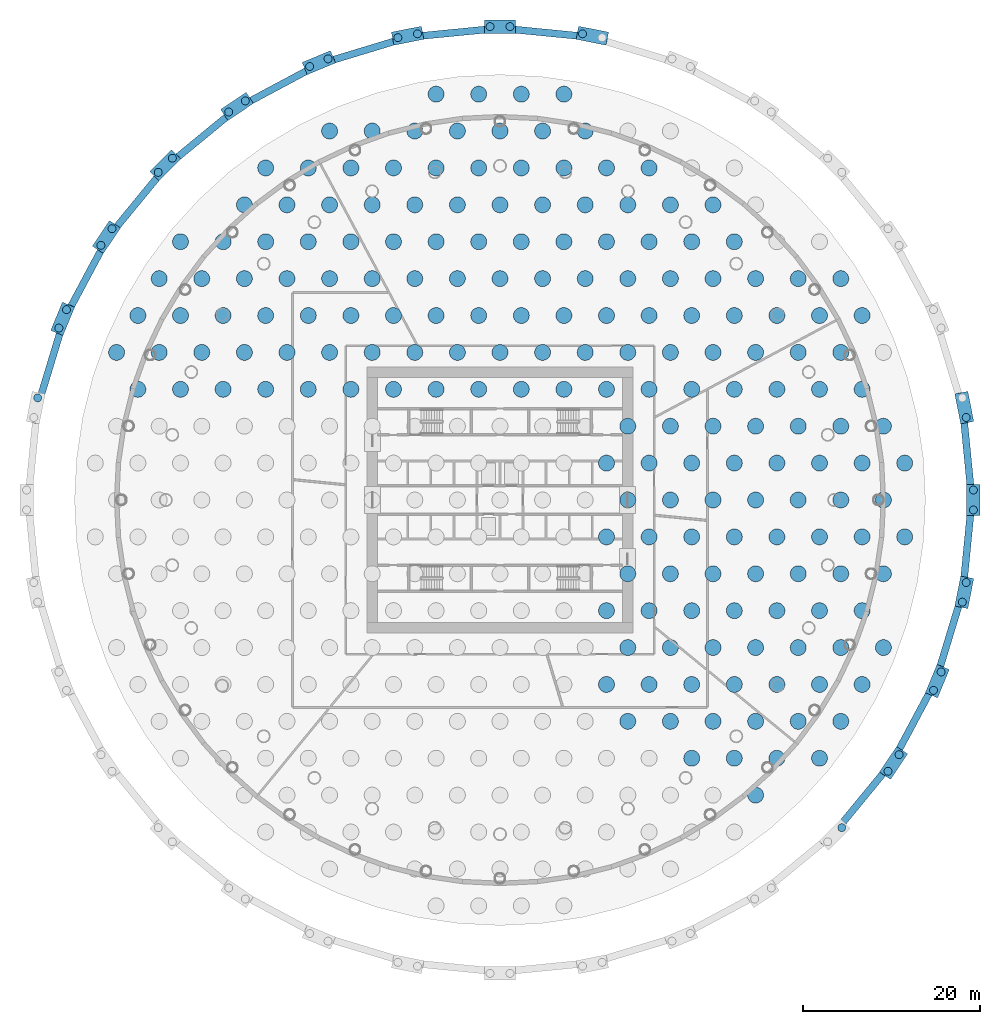
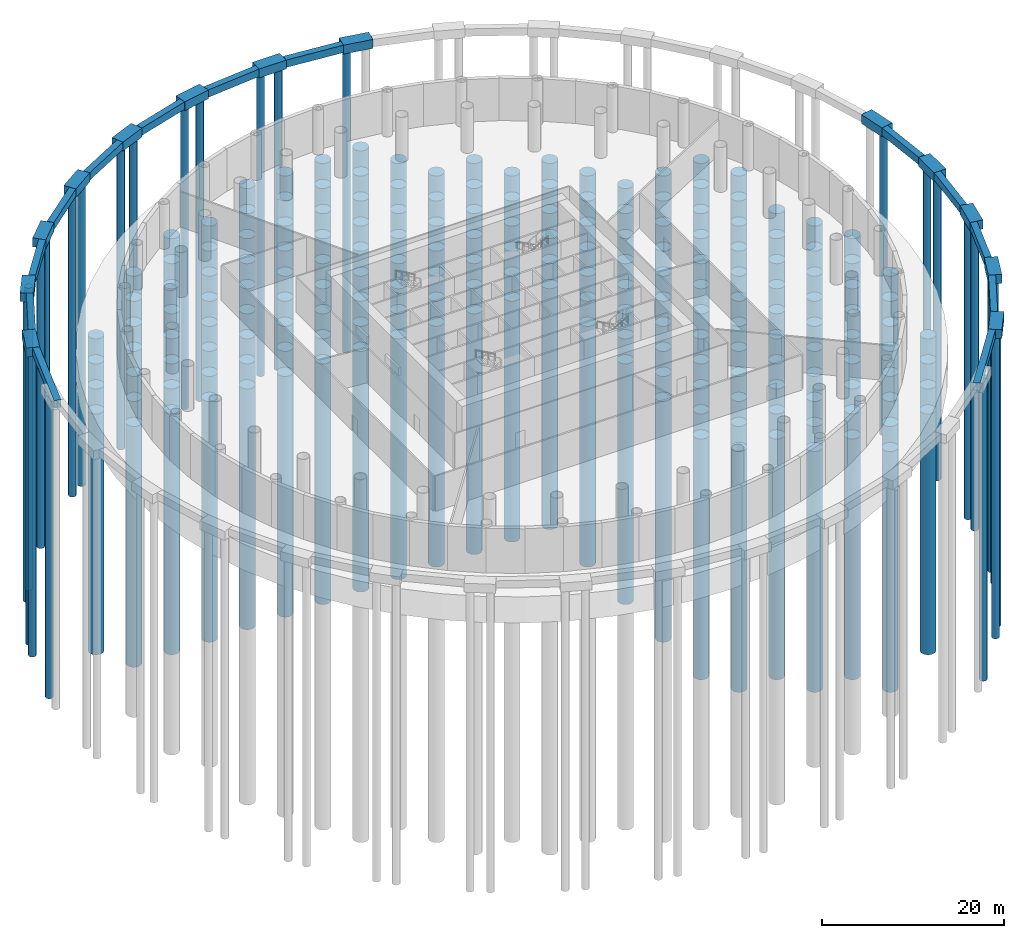
# One storey, part 2 of 12: 213 piles, 26 footings.
"""IFC4 building model written with IfcOpenShell, lengths in metres."""

from ifc_helpers import new_model, si_unit, direction, frame, origin, origin_2d, place, context, subcontext, project, spatial, rectangle, circle, extrude, material, layer, layer_set, material_profile, profile_set, type_object, element, save


model = new_model("IFC4")

# Units and contexts
model_context = context("Model", 3, precision=1e-05, world=origin(), true_north=direction((0.0, 1.0)))
body_context = subcontext(model_context, "Body", "Model", "MODEL_VIEW")
ifc_project = project(units=[si_unit("LENGTHUNIT", "METRE"), si_unit("AREAUNIT", "SQUARE_METRE"), si_unit("VOLUMEUNIT", "CUBIC_METRE"), si_unit("PLANEANGLEUNIT", "RADIAN"), si_unit("MASSUNIT", "GRAM", prefix="KILO")], contexts=[model_context])

# Site, building, storey
site_placement = place(None, origin())
site = spatial("IfcSite", under=ifc_project, at=site_placement, CompositionType="ELEMENT")
building_placement = place(site_placement, origin())
building = spatial("IfcBuilding", under=site, at=building_placement, Name="Corvane Civic Tower", CompositionType="ELEMENT")
storey_placement = place(building_placement, frame((0.0, 0.0, -6.0)))
storey = spatial("IfcBuildingStorey", under=building, at=storey_placement, Name="B1", CompositionType="ELEMENT", Elevation=-6.0)

# Piles
ifc_material_1 = material(Name="Concrete C40/50", Category="concrete")
ifc_material_profile_1 = material_profile(ifc_material_1, circle(Radius=0.89990234375, at=origin_2d()), Name="BORED PILE 1800")
ifc_profile_set_1 = profile_set([ifc_material_profile_1], Name="Concrete C40/50")
pile_type_1 = type_object("IfcPileType", Name="BORED PILE BORED PILE 1800", PredefinedType="BORED", material=ifc_profile_set_1)
for number, where, z_axis, x_axis, name in (
    (1, (28.8359375, -33.296875, -3.64990234375), (0.0, 0.0, -1.0), (1.0, 0.0, 0.0), "PIL-B1-038"),
    (2, (21.626953125, -29.134765625, -3.64990234375), (0.0, 0.0, -1.0), (1.0, 0.0, 0.0), "PIL-B1-051"),
    (3, (26.43310546875, -29.134765625, -3.64990234375), (0.0, 0.0, -1.0), (1.0, 0.0, 0.0), "PIL-B1-052"),
    (4, (31.239013671875, -29.134765625, -3.64990234375), (0.0, 0.0, -1.0), (1.0, 0.0, 0.0), "PIL-B1-053"),
    (5, (36.044921875, -29.134765625, -3.64990234375), (0.0, 0.0, -1.0), (1.0, 0.0, 0.0), "PIL-B1-054"),
    (6, (14.41796875, -24.97265625, -3.64990234375), (0.0, 0.0, -1.0), (1.0, 0.0, 0.0), "PIL-B1-066"),
    (7, (19.22412109375, -24.97265625, -3.64990234375), (0.0, 0.0, -1.0), (1.0, 0.0, 0.0), "PIL-B1-067"),
    (8, (24.030029296875, -24.97265625, -3.64990234375), (0.0, 0.0, -1.0), (1.0, 0.0, 0.0), "PIL-B1-068"),
    (9, (28.8359375, -24.97265625, -3.64990234375), (0.0, 0.0, -1.0), (1.0, 0.0, 0.0), "PIL-B1-069"),
    (10, (33.64208984375, -24.97265625, -3.64990234375), (0.0, 0.0, -1.0), (1.0, 0.0, 0.0), "PIL-B1-070"),
    (11, (38.447998046875, -24.97265625, -3.64990234375), (0.0, 0.0, -1.0), (1.0, 0.0, 0.0), "PIL-B1-071"),
    (12, (12.014892578125, -20.810546875, -3.64990234375), (0.0, 0.0, -1.0), (1.0, 0.0, 0.0), "PIL-B1-083"),
    (13, (16.821044921875, -20.810546875, -3.64990234375), (0.0, 0.0, -1.0), (1.0, 0.0, 0.0), "PIL-B1-084"),
    (14, (21.626953125, -20.810546875, -3.64990234375), (0.0, 0.0, -1.0), (1.0, 0.0, 0.0), "PIL-B1-085"),
    (15, (26.43310546875, -20.810546875, -3.64990234375), (0.0, 0.0, -1.0), (1.0, 0.0, 0.0), "PIL-B1-086"),
    (16, (31.239013671875, -20.810546875, -3.64990234375), (0.0, 0.0, -1.0), (1.0, 0.0, 0.0), "PIL-B1-087"),
    (17, (36.044921875, -20.810546875, -3.64990234375), (0.0, 0.0, -1.0), (1.0, 0.0, 0.0), "PIL-B1-088"),
    (18, (40.85107421875, -20.810546875, -3.64990234375), (0.0, 0.0, -1.0), (1.0, 0.0, 0.0), "PIL-B1-089"),
    (19, (14.41796875, -16.6484375, -3.64990234375), (0.0, 0.0, -1.0), (1.0, 0.0, 0.0), "PIL-B1-102"),
    (20, (19.22412109375, -16.6484375, -3.64990234375), (0.0, 0.0, -1.0), (1.0, 0.0, 0.0), "PIL-B1-103"),
    (21, (24.030029296875, -16.6484375, -3.64990234375), (0.0, 0.0, -1.0), (1.0, 0.0, 0.0), "PIL-B1-104"),
    (22, (28.8359375, -16.6484375, -3.64990234375), (0.0, 0.0, -1.0), (1.0, 0.0, 0.0), "PIL-B1-105"),
    (23, (33.64208984375, -16.6484375, -3.64990234375), (0.0, 0.0, -1.0), (1.0, 0.0, 0.0), "PIL-B1-106"),
    (24, (38.447998046875, -16.6484375, -3.64990234375), (0.0, 0.0, -1.0), (1.0, 0.0, 0.0), "PIL-B1-107"),
    (25, (43.25390625, -16.6484375, -3.64990234375), (0.0, 0.0, -1.0), (1.0, 0.0, 0.0), "PIL-B1-108"),
    (26, (12.014892578125, -12.486328125, -3.64990234375), (0.0, 0.0, -1.0), (1.0, 0.0, 0.0), "PIL-B1-120"),
    (27, (16.821044921875, -12.486328125, -3.64990234375), (0.0, 0.0, -1.0), (1.0, 0.0, 0.0), "PIL-B1-121"),
    (28, (21.626953125, -12.486328125, -3.64990234375), (0.0, 0.0, -1.0), (1.0, 0.0, 0.0), "PIL-B1-122"),
    (29, (26.43310546875, -12.486328125, -3.64990234375), (0.0, 0.0, -1.0), (1.0, 0.0, 0.0), "PIL-B1-123"),
    (30, (31.239013671875, -12.486328125, -3.64990234375), (0.0, 0.0, -1.0), (1.0, 0.0, 0.0), "PIL-B1-124"),
    (31, (36.044921875, -12.486328125, -3.64990234375), (0.0, 0.0, -1.0), (1.0, 0.0, 0.0), "PIL-B1-125"),
    (32, (40.85107421875, -12.486328125, -3.64990234375), (0.0, 0.0, -1.0), (1.0, 0.0, 0.0), "PIL-B1-126"),
    (33, (14.41796875, -8.32421875, -3.64990234375), (0.0, 0.0, -1.0), (1.0, 0.0, 0.0), "PIL-B1-139"),
    (34, (19.22412109375, -8.32421875, -3.64990234375), (0.0, 0.0, -1.0), (1.0, 0.0, 0.0), "PIL-B1-140"),
    (35, (24.030029296875, -8.32421875, -3.64990234375), (0.0, 0.0, -1.0), (1.0, 0.0, 0.0), "PIL-B1-141"),
    (36, (28.8359375, -8.32421875, -3.64990234375), (0.0, 0.0, -1.0), (1.0, 0.0, 0.0), "PIL-B1-142"),
    (37, (33.64208984375, -8.32421875, -3.64990234375), (0.0, 0.0, -1.0), (1.0, 0.0, 0.0), "PIL-B1-143"),
    (38, (38.447998046875, -8.32421875, -3.64990234375), (0.0, 0.0, -1.0), (1.0, 0.0, 0.0), "PIL-B1-144"),
    (39, (43.25390625, -8.32421875, -3.64990234375), (0.0, 0.0, -1.0), (1.0, 0.0, 0.0), "PIL-B1-145"),
    (40, (12.014892578125, -4.162109375, -3.64990234375), (0.0, 0.0, -1.0), (1.0, 0.0, 0.0), "PIL-B1-158"),
    (41, (16.821044921875, -4.162109375, -3.64990234375), (0.0, 0.0, -1.0), (1.0, 0.0, 0.0), "PIL-B1-159"),
    (42, (21.626953125, -4.162109375, -3.64990234375), (0.0, 0.0, -1.0), (1.0, 0.0, 0.0), "PIL-B1-160"),
    (43, (26.43310546875, -4.162109375, -3.64990234375), (0.0, 0.0, -1.0), (1.0, 0.0, 0.0), "PIL-B1-161"),
    (44, (31.239013671875, -4.162109375, -3.64990234375), (0.0, 0.0, -1.0), (1.0, 0.0, 0.0), "PIL-B1-162"),
    (45, (36.044921875, -4.162109375, -3.64990234375), (0.0, 0.0, -1.0), (1.0, 0.0, 0.0), "PIL-B1-163"),
    (46, (40.85107421875, -4.162109375, -3.64990234375), (0.0, 0.0, -1.0), (1.0, 0.0, 0.0), "PIL-B1-164"),
    (47, (45.656982421875, -4.162109375, -3.64990234375), (0.0, 0.0, -1.0), (1.0, 0.0, 0.0), "PIL-B1-165"),
    (48, (14.41796875, 0.0, -3.64990234375), (0.0, 0.0, -1.0), (1.0, 0.0, 0.0), "PIL-B1-178"),
    (49, (19.22412109375, 0.0, -3.64990234375), (0.0, 0.0, -1.0), (1.0, 0.0, 0.0), "PIL-B1-179"),
    (50, (24.030029296875, 0.0, -3.64990234375), (0.0, 0.0, -1.0), (1.0, 0.0, 0.0), "PIL-B1-180"),
    (51, (28.8359375, 0.0, -3.64990234375), (0.0, 0.0, -1.0), (1.0, 0.0, 0.0), "PIL-B1-181"),
    (52, (33.64208984375, 0.0, -3.64990234375), (0.0, 0.0, -1.0), (1.0, 0.0, 0.0), "PIL-B1-182"),
    (53, (38.447998046875, 0.0, -3.64990234375), (0.0, 0.0, -1.0), (1.0, 0.0, 0.0), "PIL-B1-183"),
    (54, (43.25390625, 0.0, -3.64990234375), (0.0, 0.0, -1.0), (1.0, 0.0, 0.0), "PIL-B1-184"),
    (55, (12.014892578125, 4.162109375, -3.64990234375), (0.0, 0.0, -1.0), (1.0, 0.0, 0.0), "PIL-B1-197"),
    (56, (16.821044921875, 4.162109375, -3.64990234375), (0.0, 0.0, -1.0), (1.0, 0.0, 0.0), "PIL-B1-198"),
    (57, (21.626953125, 4.162109375, -3.64990234375), (0.0, 0.0, -1.0), (1.0, 0.0, 0.0), "PIL-B1-199"),
    (58, (26.43310546875, 4.162109375, -3.64990234375), (0.0, 0.0, -1.0), (1.0, 0.0, 0.0), "PIL-B1-200"),
    (59, (31.239013671875, 4.162109375, -3.64990234375), (0.0, 0.0, -1.0), (1.0, 0.0, 0.0), "PIL-B1-201"),
    (60, (36.044921875, 4.162109375, -3.64990234375), (0.0, 0.0, -1.0), (1.0, 0.0, 0.0), "PIL-B1-202"),
    (61, (40.85107421875, 4.162109375, -3.64990234375), (0.0, 0.0, -1.0), (1.0, 0.0, 0.0), "PIL-B1-203"),
    (62, (45.656982421875, 4.162109375, -3.64990234375), (0.0, 0.0, -1.0), (1.0, 0.0, 0.0), "PIL-B1-204"),
    (63, (14.41796875, 8.32421875, -3.64990234375), (0.0, 0.0, -1.0), (1.0, 0.0, 0.0), "PIL-B1-217"),
    (64, (19.22412109375, 8.32421875, -3.64990234375), (0.0, 0.0, -1.0), (1.0, 0.0, 0.0), "PIL-B1-218"),
    (65, (24.030029296875, 8.32421875, -3.64990234375), (0.0, 0.0, -1.0), (1.0, 0.0, 0.0), "PIL-B1-219"),
    (66, (28.8359375, 8.32421875, -3.64990234375), (0.0, 0.0, -1.0), (1.0, 0.0, 0.0), "PIL-B1-220"),
    (67, (33.64208984375, 8.32421875, -3.64990234375), (0.0, 0.0, -1.0), (1.0, 0.0, 0.0), "PIL-B1-221"),
    (68, (38.447998046875, 8.32421875, -3.64990234375), (0.0, 0.0, -1.0), (1.0, 0.0, 0.0), "PIL-B1-222"),
    (69, (43.25390625, 8.32421875, -3.64990234375), (0.0, 0.0, -1.0), (1.0, 0.0, 0.0), "PIL-B1-223"),
    (70, (-40.85107421875, 12.486328125, -3.64990234375), (0.0, 0.0, -1.0), (1.0, 0.0, 0.0), "PIL-B1-224"),
    (71, (-36.044921875, 12.486328125, -3.64990234375), (0.0, 0.0, -1.0), (1.0, 0.0, 0.0), "PIL-B1-225"),
    (72, (-31.239013671875, 12.486328125, -3.64990234375), (0.0, 0.0, -1.0), (1.0, 0.0, 0.0), "PIL-B1-226"),
    (73, (-26.43310546875, 12.486328125, -3.64990234375), (0.0, 0.0, -1.0), (1.0, 0.0, 0.0), "PIL-B1-227"),
    (74, (-21.626953125, 12.486328125, -3.64990234375), (0.0, 0.0, -1.0), (1.0, 0.0, 0.0), "PIL-B1-228"),
    (75, (-16.821044921875, 12.486328125, -3.64990234375), (0.0, 0.0, -1.0), (1.0, 0.0, 0.0), "PIL-B1-229"),
    (76, (-12.014892578125, 12.486328125, -3.64990234375), (0.0, 0.0, -1.0), (1.0, 0.0, 0.0), "PIL-B1-230"),
    (77, (-7.208984375, 12.486328125, -3.64990234375), (0.0, 0.0, -1.0), (1.0, 0.0, 0.0), "PIL-B1-231"),
    (78, (-2.403076171875, 12.486328125, -3.64990234375), (0.0, 0.0, -1.0), (1.0, 0.0, 0.0), "PIL-B1-232"),
    (79, (2.403076171875, 12.486328125, -3.64990234375), (0.0, 0.0, -1.0), (1.0, 0.0, 0.0), "PIL-B1-233"),
    (80, (7.208984375, 12.486328125, -3.64990234375), (0.0, 0.0, -1.0), (1.0, 0.0, 0.0), "PIL-B1-234"),
    (81, (12.014892578125, 12.486328125, -3.64990234375), (0.0, 0.0, -1.0), (1.0, 0.0, 0.0), "PIL-B1-235"),
    (82, (16.821044921875, 12.486328125, -3.64990234375), (0.0, 0.0, -1.0), (1.0, 0.0, 0.0), "PIL-B1-236"),
    (83, (21.626953125, 12.486328125, -3.64990234375), (0.0, 0.0, -1.0), (1.0, 0.0, 0.0), "PIL-B1-237"),
    (84, (26.43310546875, 12.486328125, -3.64990234375), (0.0, 0.0, -1.0), (1.0, 0.0, 0.0), "PIL-B1-238"),
    (85, (31.239013671875, 12.486328125, -3.64990234375), (0.0, 0.0, -1.0), (1.0, 0.0, 0.0), "PIL-B1-239"),
    (86, (36.044921875, 12.486328125, -3.64990234375), (0.0, 0.0, -1.0), (1.0, 0.0, 0.0), "PIL-B1-240"),
    (87, (40.85107421875, 12.486328125, -3.64990234375), (0.0, 0.0, -1.0), (1.0, 0.0, 0.0), "PIL-B1-241"),
    (88, (-43.25390625, 16.6484375, -3.64990234375), (0.0, 0.0, -1.0), (1.0, 0.0, 0.0), "PIL-B1-242"),
    (89, (-38.447998046875, 16.6484375, -3.64990234375), (0.0, 0.0, -1.0), (1.0, 0.0, 0.0), "PIL-B1-243"),
    (90, (-33.64208984375, 16.6484375, -3.64990234375), (0.0, 0.0, -1.0), (1.0, 0.0, 0.0), "PIL-B1-244"),
    (91, (-28.8359375, 16.6484375, -3.64990234375), (0.0, 0.0, -1.0), (1.0, 0.0, 0.0), "PIL-B1-245"),
    (92, (-24.030029296875, 16.6484375, -3.64990234375), (0.0, 0.0, -1.0), (1.0, 0.0, 0.0), "PIL-B1-246"),
    (93, (-19.22412109375, 16.6484375, -3.64990234375), (0.0, 0.0, -1.0), (1.0, 0.0, 0.0), "PIL-B1-247"),
    (94, (-14.41796875, 16.6484375, -3.64990234375), (0.0, 0.0, -1.0), (1.0, 0.0, 0.0), "PIL-B1-248"),
    (95, (-9.612060546875, 16.6484375, -3.64990234375), (0.0, 0.0, -1.0), (1.0, 0.0, 0.0), "PIL-B1-249"),
    (96, (-4.805908203125, 16.6484375, -3.64990234375), (0.0, 0.0, -1.0), (1.0, 0.0, 0.0), "PIL-B1-250"),
    (97, (0.0, 16.6484375, -3.64990234375), (0.0, 0.0, -1.0), (1.0, 0.0, 0.0), "PIL-B1-251"),
    (98, (4.805908203125, 16.6484375, -3.64990234375), (0.0, 0.0, -1.0), (1.0, 0.0, 0.0), "PIL-B1-252"),
    (99, (9.612060546875, 16.6484375, -3.64990234375), (0.0, 0.0, -1.0), (1.0, 0.0, 0.0), "PIL-B1-253"),
    (100, (14.41796875, 16.6484375, -3.64990234375), (0.0, 0.0, -1.0), (1.0, 0.0, 0.0), "PIL-B1-254"),
    (101, (19.22412109375, 16.6484375, -3.64990234375), (0.0, 0.0, -1.0), (1.0, 0.0, 0.0), "PIL-B1-255"),
    (102, (24.030029296875, 16.6484375, -3.64990234375), (0.0, 0.0, -1.0), (1.0, 0.0, 0.0), "PIL-B1-256"),
    (103, (28.8359375, 16.6484375, -3.64990234375), (0.0, 0.0, -1.0), (1.0, 0.0, 0.0), "PIL-B1-257"),
    (104, (33.64208984375, 16.6484375, -3.64990234375), (0.0, 0.0, -1.0), (1.0, 0.0, 0.0), "PIL-B1-258"),
    (105, (38.447998046875, 16.6484375, -3.64990234375), (0.0, 0.0, -1.0), (1.0, 0.0, 0.0), "PIL-B1-259"),
    (106, (-40.85107421875, 20.810546875, -3.64990234375), (0.0, 0.0, -1.0), (1.0, 0.0, 0.0), "PIL-B1-261"),
    (107, (-36.044921875, 20.810546875, -3.64990234375), (0.0, 0.0, -1.0), (1.0, 0.0, 0.0), "PIL-B1-262"),
    (108, (-31.239013671875, 20.810546875, -3.64990234375), (0.0, 0.0, -1.0), (1.0, 0.0, 0.0), "PIL-B1-263"),
    (109, (-26.43310546875, 20.810546875, -3.64990234375), (0.0, 0.0, -1.0), (1.0, 0.0, 0.0), "PIL-B1-264"),
    (110, (-21.626953125, 20.810546875, -3.64990234375), (0.0, 0.0, -1.0), (1.0, 0.0, 0.0), "PIL-B1-265"),
    (111, (-16.821044921875, 20.810546875, -3.64990234375), (0.0, 0.0, -1.0), (1.0, 0.0, 0.0), "PIL-B1-266"),
    (112, (-12.014892578125, 20.810546875, -3.64990234375), (0.0, 0.0, -1.0), (1.0, 0.0, 0.0), "PIL-B1-267"),
    (113, (-7.208984375, 20.810546875, -3.64990234375), (0.0, 0.0, -1.0), (1.0, 0.0, 0.0), "PIL-B1-268"),
    (114, (-2.403076171875, 20.810546875, -3.64990234375), (0.0, 0.0, -1.0), (1.0, 0.0, 0.0), "PIL-B1-269"),
    (115, (2.403076171875, 20.810546875, -3.64990234375), (0.0, 0.0, -1.0), (1.0, 0.0, 0.0), "PIL-B1-270"),
    (116, (7.208984375, 20.810546875, -3.64990234375), (0.0, 0.0, -1.0), (1.0, 0.0, 0.0), "PIL-B1-271"),
    (117, (12.014892578125, 20.810546875, -3.64990234375), (0.0, 0.0, -1.0), (1.0, 0.0, 0.0), "PIL-B1-272"),
    (118, (16.821044921875, 20.810546875, -3.64990234375), (0.0, 0.0, -1.0), (1.0, 0.0, 0.0), "PIL-B1-273"),
    (119, (21.626953125, 20.810546875, -3.64990234375), (0.0, 0.0, -1.0), (1.0, 0.0, 0.0), "PIL-B1-274"),
    (120, (26.43310546875, 20.810546875, -3.64990234375), (0.0, 0.0, -1.0), (1.0, 0.0, 0.0), "PIL-B1-275"),
    (121, (31.239013671875, 20.810546875, -3.64990234375), (0.0, 0.0, -1.0), (1.0, 0.0, 0.0), "PIL-B1-276"),
    (122, (36.044921875, 20.810546875, -3.64990234375), (0.0, 0.0, -1.0), (1.0, 0.0, 0.0), "PIL-B1-277"),
    (123, (40.85107421875, 20.810546875, -3.64990234375), (0.0, 0.0, -1.0), (1.0, 0.0, 0.0), "PIL-B1-278"),
    (124, (-38.447998046875, 24.97265625, -3.64990234375), (0.0, 0.0, -1.0), (1.0, 0.0, 0.0), "PIL-B1-279"),
    (125, (-33.64208984375, 24.97265625, -3.64990234375), (0.0, 0.0, -1.0), (1.0, 0.0, 0.0), "PIL-B1-280"),
    (126, (-28.8359375, 24.97265625, -3.64990234375), (0.0, 0.0, -1.0), (1.0, 0.0, 0.0), "PIL-B1-281"),
    (127, (-24.030029296875, 24.97265625, -3.64990234375), (0.0, 0.0, -1.0), (1.0, 0.0, 0.0), "PIL-B1-282"),
    (128, (-19.22412109375, 24.97265625, -3.64990234375), (0.0, 0.0, -1.0), (1.0, 0.0, 0.0), "PIL-B1-283"),
    (129, (-14.41796875, 24.97265625, -3.64990234375), (0.0, 0.0, -1.0), (1.0, 0.0, 0.0), "PIL-B1-284"),
    (130, (-9.612060546875, 24.97265625, -3.64990234375), (0.0, 0.0, -1.0), (1.0, 0.0, 0.0), "PIL-B1-285"),
    (131, (-4.805908203125, 24.97265625, -3.64990234375), (0.0, 0.0, -1.0), (1.0, 0.0, 0.0), "PIL-B1-286"),
    (132, (0.0, 24.97265625, -3.64990234375), (0.0, 0.0, -1.0), (1.0, 0.0, 0.0), "PIL-B1-287"),
    (133, (4.805908203125, 24.97265625, -3.64990234375), (0.0, 0.0, -1.0), (1.0, 0.0, 0.0), "PIL-B1-288"),
    (134, (9.612060546875, 24.97265625, -3.64990234375), (0.0, 0.0, -1.0), (1.0, 0.0, 0.0), "PIL-B1-289"),
    (135, (14.41796875, 24.97265625, -3.64990234375), (0.0, 0.0, -1.0), (1.0, 0.0, 0.0), "PIL-B1-290"),
    (136, (19.22412109375, 24.97265625, -3.64990234375), (0.0, 0.0, -1.0), (1.0, 0.0, 0.0), "PIL-B1-291"),
    (137, (24.030029296875, 24.97265625, -3.64990234375), (0.0, 0.0, -1.0), (1.0, 0.0, 0.0), "PIL-B1-292"),
    (138, (28.8359375, 24.97265625, -3.64990234375), (0.0, 0.0, -1.0), (1.0, 0.0, 0.0), "PIL-B1-293"),
    (139, (33.64208984375, 24.97265625, -3.64990234375), (0.0, 0.0, -1.0), (1.0, 0.0, 0.0), "PIL-B1-294"),
    (140, (38.447998046875, 24.97265625, -3.64990234375), (0.0, 0.0, -1.0), (1.0, 0.0, 0.0), "PIL-B1-295"),
    (141, (-36.044921875, 29.134765625, -3.64990234375), (0.0, 0.0, -1.0), (1.0, 0.0, 0.0), "PIL-B1-296"),
    (142, (-31.239013671875, 29.134765625, -3.64990234375), (0.0, 0.0, -1.0), (1.0, 0.0, 0.0), "PIL-B1-297"),
    (143, (-26.43310546875, 29.134765625, -3.64990234375), (0.0, 0.0, -1.0), (1.0, 0.0, 0.0), "PIL-B1-298"),
    (144, (-21.626953125, 29.134765625, -3.64990234375), (0.0, 0.0, -1.0), (1.0, 0.0, 0.0), "PIL-B1-299"),
    (145, (-16.821044921875, 29.134765625, -3.64990234375), (0.0, 0.0, -1.0), (1.0, 0.0, 0.0), "PIL-B1-300"),
    (146, (-12.014892578125, 29.134765625, -3.64990234375), (0.0, 0.0, -1.0), (1.0, 0.0, 0.0), "PIL-B1-301"),
    (147, (-7.208984375, 29.134765625, -3.64990234375), (0.0, 0.0, -1.0), (1.0, 0.0, 0.0), "PIL-B1-302"),
    (148, (-2.403076171875, 29.134765625, -3.64990234375), (0.0, 0.0, -1.0), (1.0, 0.0, 0.0), "PIL-B1-303"),
    (149, (2.403076171875, 29.134765625, -3.64990234375), (0.0, 0.0, -1.0), (1.0, 0.0, 0.0), "PIL-B1-304"),
    (150, (7.208984375, 29.134765625, -3.64990234375), (0.0, 0.0, -1.0), (1.0, 0.0, 0.0), "PIL-B1-305"),
    (151, (12.014892578125, 29.134765625, -3.64990234375), (0.0, 0.0, -1.0), (1.0, 0.0, 0.0), "PIL-B1-306"),
    (152, (16.821044921875, 29.134765625, -3.64990234375), (0.0, 0.0, -1.0), (1.0, 0.0, 0.0), "PIL-B1-307"),
    (153, (21.626953125, 29.134765625, -3.64990234375), (0.0, 0.0, -1.0), (1.0, 0.0, 0.0), "PIL-B1-308"),
    (154, (26.43310546875, 29.134765625, -3.64990234375), (0.0, 0.0, -1.0), (1.0, 0.0, 0.0), "PIL-B1-309"),
    (155, (-28.8359375, 33.296875, -3.64990234375), (0.0, 0.0, -1.0), (1.0, 0.0, 0.0), "PIL-B1-312"),
    (156, (-24.030029296875, 33.296875, -3.64990234375), (0.0, 0.0, -1.0), (1.0, 0.0, 0.0), "PIL-B1-313"),
    (157, (-19.22412109375, 33.296875, -3.64990234375), (0.0, 0.0, -1.0), (1.0, 0.0, 0.0), "PIL-B1-314"),
    (158, (-14.41796875, 33.296875, -3.64990234375), (0.0, 0.0, -1.0), (1.0, 0.0, 0.0), "PIL-B1-315"),
    (159, (-9.612060546875, 33.296875, -3.64990234375), (0.0, 0.0, -1.0), (1.0, 0.0, 0.0), "PIL-B1-316"),
    (160, (-4.805908203125, 33.296875, -3.64990234375), (0.0, 0.0, -1.0), (1.0, 0.0, 0.0), "PIL-B1-317"),
    (161, (0.0, 33.296875, -3.64990234375), (0.0, 0.0, -1.0), (1.0, 0.0, 0.0), "PIL-B1-318"),
    (162, (4.805908203125, 33.296875, -3.64990234375), (0.0, 0.0, -1.0), (1.0, 0.0, 0.0), "PIL-B1-319"),
    (163, (9.612060546875, 33.296875, -3.64990234375), (0.0, 0.0, -1.0), (1.0, 0.0, 0.0), "PIL-B1-320"),
    (164, (14.41796875, 33.296875, -3.64990234375), (0.0, 0.0, -1.0), (1.0, 0.0, 0.0), "PIL-B1-321"),
    (165, (19.22412109375, 33.296875, -3.64990234375), (0.0, 0.0, -1.0), (1.0, 0.0, 0.0), "PIL-B1-322"),
    (166, (24.030029296875, 33.296875, -3.64990234375), (0.0, 0.0, -1.0), (1.0, 0.0, 0.0), "PIL-B1-323"),
    (167, (-26.43310546875, 37.458984375, -3.64990234375), (0.0, 0.0, -1.0), (1.0, 0.0, 0.0), "PIL-B1-325"),
    (168, (-21.626953125, 37.458984375, -3.64990234375), (0.0, 0.0, -1.0), (1.0, 0.0, 0.0), "PIL-B1-326"),
    (169, (-16.821044921875, 37.458984375, -3.64990234375), (0.0, 0.0, -1.0), (1.0, 0.0, 0.0), "PIL-B1-327"),
    (170, (-12.014892578125, 37.458984375, -3.64990234375), (0.0, 0.0, -1.0), (1.0, 0.0, 0.0), "PIL-B1-328"),
    (171, (-7.208984375, 37.458984375, -3.64990234375), (0.0, 0.0, -1.0), (1.0, 0.0, 0.0), "PIL-B1-329"),
    (172, (-2.403076171875, 37.458984375, -3.64990234375), (0.0, 0.0, -1.0), (1.0, 0.0, 0.0), "PIL-B1-330"),
    (173, (2.403076171875, 37.458984375, -3.64990234375), (0.0, 0.0, -1.0), (1.0, 0.0, 0.0), "PIL-B1-331"),
    (174, (7.208984375, 37.458984375, -3.64990234375), (0.0, 0.0, -1.0), (1.0, 0.0, 0.0), "PIL-B1-332"),
    (175, (12.014892578125, 37.458984375, -3.64990234375), (0.0, 0.0, -1.0), (1.0, 0.0, 0.0), "PIL-B1-333"),
    (176, (16.821044921875, 37.458984375, -3.64990234375), (0.0, 0.0, -1.0), (1.0, 0.0, 0.0), "PIL-B1-334"),
    (177, (-19.22412109375, 41.62109375, -3.64990234375), (0.0, 0.0, -1.0), (1.0, 0.0, 0.0), "PIL-B1-337"),
    (178, (-14.41796875, 41.62109375, -3.64990234375), (0.0, 0.0, -1.0), (1.0, 0.0, 0.0), "PIL-B1-338"),
    (179, (-9.612060546875, 41.62109375, -3.64990234375), (0.0, 0.0, -1.0), (1.0, 0.0, 0.0), "PIL-B1-339"),
    (180, (-4.805908203125, 41.62109375, -3.64990234375), (0.0, 0.0, -1.0), (1.0, 0.0, 0.0), "PIL-B1-340"),
    (181, (0.0, 41.62109375, -3.64990234375), (0.0, 0.0, -1.0), (1.0, 0.0, 0.0), "PIL-B1-341"),
    (182, (4.805908203125, 41.62109375, -3.64990234375), (0.0, 0.0, -1.0), (1.0, 0.0, 0.0), "PIL-B1-342"),
    (183, (9.612060546875, 41.62109375, -3.64990234375), (0.0, 0.0, -1.0), (1.0, 0.0, 0.0), "PIL-B1-343"),
    (184, (-7.208984375, 45.783203125, -3.64990234375), (0.0, 0.0, -1.0), (1.0, 0.0, 0.0), "PIL-B1-346"),
    (185, (-2.403076171875, 45.783203125, -3.64990234375), (0.0, 0.0, -1.0), (1.0, 0.0, 0.0), "PIL-B1-347"),
    (186, (2.403076171875, 45.783203125, -3.64990234375), (0.0, 0.0, -1.0), (1.0, 0.0, 0.0), "PIL-B1-348"),
    (187, (7.208984375, 45.783203125, -3.64990234375), (0.0, 0.0, -1.0), (1.0, 0.0, 0.0), "PIL-B1-349"),
):
    element("IfcPile", number, at=place(storey_placement, frame(where, z_axis=z_axis, x_axis=x_axis)), inside=storey, type_object=pile_type_1, Name=name, PredefinedType="BORED", context=body_context, shape_type="SweptSolid", body=[
        extrude(circle(Radius=0.89990234375, at=origin_2d()), origin(), (0.0, 0.0, 1.0), 32.35009765625),
    ])
ifc_material_2 = material(Name="Concrete C40/50", Category="concrete")
ifc_material_profile_2 = material_profile(ifc_material_2, circle(Radius=0.449951171875, at=origin_2d()), Name="BORED PILE 900")
ifc_profile_set_2 = profile_set([ifc_material_profile_2], Name="Concrete C40/50")
pile_type_2 = type_object("IfcPileType", Name="BORED PILE BORED PILE 900", PredefinedType="BORED", material=ifc_profile_set_2)
for number, where, z_axis, x_axis, name in (
    (188, (1.125, 53.39990234375, 4.64990234375), (0.0, 0.0, -1.0), (1.0, 0.0, 0.0), "PIL-G-01-a"),
    (189, (-1.125, 53.39990234375, 4.64990234375), (0.0, 0.0, -1.0), (1.0, 0.0, 0.0), "PIL-G-01-b"),
    (190, (9.314208984375, 52.593505859375, 4.64990234375), (0.0, 0.0, -1.0), (1.0, 0.0, 0.0), "PIL-G-02-b"),
    (191, (52.593505859375, 9.314208984375, 4.64990234375), (0.0, 0.0, -1.0), (1.0, 0.0, 0.0), "PIL-G-08-a"),
    (192, (53.39990234375, -1.125, 4.64990234375), (0.0, 0.0, -1.0), (1.0, 0.0, 0.0), "PIL-G-09-a"),
    (193, (53.39990234375, 1.125, 4.64990234375), (0.0, 0.0, -1.0), (1.0, 0.0, 0.0), "PIL-G-09-b"),
    (194, (52.154541015625, -11.52099609375, 4.64990234375), (0.0, 0.0, -1.0), (1.0, 0.0, 0.0), "PIL-G-10-a"),
    (195, (52.593505859375, -9.314208984375, 4.64990234375), (0.0, 0.0, -1.0), (1.0, 0.0, 0.0), "PIL-G-10-b"),
    (196, (48.90478515625, -21.474609375, 4.64990234375), (0.0, 0.0, -1.0), (1.0, 0.0, 0.0), "PIL-G-11-a"),
    (197, (49.765625, -19.39599609375, 4.64990234375), (0.0, 0.0, -1.0), (1.0, 0.0, 0.0), "PIL-G-11-b"),
    (198, (43.775390625, -30.602783203125, 4.64990234375), (0.0, 0.0, -1.0), (1.0, 0.0, 0.0), "PIL-G-12-a"),
    (199, (45.025390625, -28.732177734375, 4.64990234375), (0.0, 0.0, -1.0), (1.0, 0.0, 0.0), "PIL-G-12-b"),
    (200, (38.554931640625, -36.964111328125, 4.64990234375), (0.0, 0.0, -1.0), (1.0, 0.0, 0.0), "PIL-G-13-b"),
    (201, (-52.154541015625, 11.52099609375, 4.64990234375), (0.0, 0.0, -1.0), (1.0, 0.0, 0.0), "PIL-G-26-a"),
    (202, (-48.90478515625, 21.474609375, 4.64990234375), (0.0, 0.0, -1.0), (1.0, 0.0, 0.0), "PIL-G-27-a"),
    (203, (-49.765625, 19.39599609375, 4.64990234375), (0.0, 0.0, -1.0), (1.0, 0.0, 0.0), "PIL-G-27-b"),
    (204, (-43.775390625, 30.602783203125, 4.64990234375), (0.0, 0.0, -1.0), (1.0, 0.0, 0.0), "PIL-G-28-a"),
    (205, (-45.025390625, 28.732177734375, 4.64990234375), (0.0, 0.0, -1.0), (1.0, 0.0, 0.0), "PIL-G-28-b"),
    (206, (-36.964111328125, 38.554931640625, 4.64990234375), (0.0, 0.0, -1.0), (1.0, 0.0, 0.0), "PIL-G-29-a"),
    (207, (-38.554931640625, 36.964111328125, 4.64990234375), (0.0, 0.0, -1.0), (1.0, 0.0, 0.0), "PIL-G-29-b"),
    (208, (-28.732177734375, 45.025390625, 4.64990234375), (0.0, 0.0, -1.0), (1.0, 0.0, 0.0), "PIL-G-30-a"),
    (209, (-30.602783203125, 43.775390625, 4.64990234375), (0.0, 0.0, -1.0), (1.0, 0.0, 0.0), "PIL-G-30-b"),
    (210, (-19.39599609375, 49.765625, 4.64990234375), (0.0, 0.0, -1.0), (1.0, 0.0, 0.0), "PIL-G-31-a"),
    (211, (-21.474609375, 48.90478515625, 4.64990234375), (0.0, 0.0, -1.0), (1.0, 0.0, 0.0), "PIL-G-31-b"),
    (212, (-9.314208984375, 52.593505859375, 4.64990234375), (0.0, 0.0, -1.0), (1.0, 0.0, 0.0), "PIL-G-32-a"),
    (213, (-11.52099609375, 52.154541015625, 4.64990234375), (0.0, 0.0, -1.0), (1.0, 0.0, 0.0), "PIL-G-32-b"),
):
    element("IfcPile", number, at=place(storey_placement, frame(where, z_axis=z_axis, x_axis=x_axis)), inside=storey, type_object=pile_type_2, Name=name, PredefinedType="BORED", context=body_context, shape_type="SweptSolid", body=[
        extrude(circle(Radius=0.449951171875, at=origin_2d()), origin(), (0.0, 0.0, 1.0), 40.64990234375),
    ])

# Footings
ifc_material_3 = material(Name="Concrete C40/50", Category="concrete")
ifc_material_profile_3 = material_profile(ifc_material_3, rectangle(XDim=0.800048828125, YDim=1.0, at=origin_2d()), Name="GROUND BEAM 800X1000")
ifc_profile_set_3 = profile_set([ifc_material_profile_3], Name="Concrete C40/50")
footing_type_1 = type_object("IfcFootingType", Name="GROUND BEAM GROUND BEAM 800X1000", PredefinedType="FOOTING_BEAM", material=ifc_profile_set_3)
for number, where, z_axis, x_axis, name in (
    (214, (-1.72509765625, 53.39990234375, 5.199951171875), (0.99518680332, -0.09799605348, 0.0), (0.09799605348, 0.99518680332, 0.0), "FTG-G-gb-01"),
    (215, (52.03759765625, 12.109619140625, 5.199951171875), (0.09799605348, -0.99518680332, 0.0), (0.99518680332, 0.09799605348, 0.0), "FTG-G-gb-08"),
    (216, (53.39990234375, 1.72509765625, 5.199951171875), (-0.09799605348, -0.99518680332, 0.0), (0.99518680332, -0.09799605348, 0.0), "FTG-G-gb-09"),
):
    element("IfcFooting", number, at=place(storey_placement, frame(where, z_axis=z_axis, x_axis=x_axis)), inside=storey, type_object=footing_type_1, Name=name, PredefinedType="FOOTING_BEAM", context=body_context, shape_type="SweptSolid", body=[
        extrude(rectangle(XDim=0.800048828125, YDim=1.0, at=origin_2d()), origin(), (0.0, 0.0, 1.0), 13.901611328125),
    ])
for number, where, z_axis, x_axis, name in (
    (217, (52.71044921875, -8.725830078125, 5.199951171875), (-0.290278875048, -0.956942095793, 0.0), (0.956942095793, -0.290278875048, 0.0), "FTG-G-gb-10"),
    (218, (49.995361328125, -18.841552734375, 5.199951171875), (-0.471395641001, -0.881921850078, 0.0), (0.881921850078, -0.471395641001, 0.0), "FTG-G-gb-11"),
):
    element("IfcFooting", number, at=place(storey_placement, frame(where, z_axis=z_axis, x_axis=x_axis)), inside=storey, type_object=footing_type_1, Name=name, PredefinedType="FOOTING_BEAM", context=body_context, shape_type="SweptSolid", body=[
        extrude(rectangle(XDim=0.800048828125, YDim=1.0, at=origin_2d()), origin(), (0.0, 0.0, 1.0), 13.90185546875),
    ])
footing_1_placement = place(storey_placement, frame((45.358642578125, -28.233154296875, 5.199951171875), z_axis=(-0.634382814468, -0.773019045502, 0.0), x_axis=(0.773019045502, -0.634382814468, 0.0)))
element("IfcFooting", 219, at=footing_1_placement, inside=storey, type_object=footing_type_1, Name="FTG-G-gb-12", PredefinedType="FOOTING_BEAM", context=body_context, shape_type="SweptSolid", body=[
    extrude(rectangle(XDim=0.800048828125, YDim=1.0, at=origin_2d()), origin(), (0.0, 0.0, 1.0), 13.9013671875),
])
for number, where, z_axis, x_axis, name in (
    (220, (-52.71044921875, 8.725830078125, 5.199951171875), (0.290278875048, 0.956942095793, 0.0), (-0.956942095793, 0.290278875048, 0.0), "FTG-G-gb-26"),
    (221, (-49.995361328125, 18.841552734375, 5.199951171875), (0.471395641001, 0.881921850078, 0.0), (-0.881921850078, 0.471395641001, 0.0), "FTG-G-gb-27"),
):
    element("IfcFooting", number, at=place(storey_placement, frame(where, z_axis=z_axis, x_axis=x_axis)), inside=storey, type_object=footing_type_1, Name=name, PredefinedType="FOOTING_BEAM", context=body_context, shape_type="SweptSolid", body=[
        extrude(rectangle(XDim=0.800048828125, YDim=1.0, at=origin_2d()), origin(), (0.0, 0.0, 1.0), 13.90185546875),
    ])
for number, where, z_axis, x_axis, name in (
    (222, (-45.358642578125, 28.233154296875, 5.199951171875), (0.634382814468, 0.773019045502, 0.0), (-0.773019045502, 0.634382814468, 0.0), "FTG-G-gb-28"),
    (223, (-38.979248046875, 36.539794921875, 5.199951171875), (0.773019045502, 0.634382814468, 0.0), (-0.634382814468, 0.773019045502, 0.0), "FTG-G-gb-29"),
):
    element("IfcFooting", number, at=place(storey_placement, frame(where, z_axis=z_axis, x_axis=x_axis)), inside=storey, type_object=footing_type_1, Name=name, PredefinedType="FOOTING_BEAM", context=body_context, shape_type="SweptSolid", body=[
        extrude(rectangle(XDim=0.800048828125, YDim=1.0, at=origin_2d()), origin(), (0.0, 0.0, 1.0), 13.9013671875),
    ])
for number, where, z_axis, x_axis, name in (
    (224, (-31.101806640625, 43.442138671875, 5.199951171875), (0.881921850078, 0.471395641001, 0.0), (-0.471395641001, 0.881921850078, 0.0), "FTG-G-gb-30"),
    (225, (-22.029052734375, 48.675048828125, 5.199951171875), (0.956942095793, 0.290278875048, 0.0), (-0.290278875048, 0.956942095793, 0.0), "FTG-G-gb-31"),
):
    element("IfcFooting", number, at=place(storey_placement, frame(where, z_axis=z_axis, x_axis=x_axis)), inside=storey, type_object=footing_type_1, Name=name, PredefinedType="FOOTING_BEAM", context=body_context, shape_type="SweptSolid", body=[
        extrude(rectangle(XDim=0.800048828125, YDim=1.0, at=origin_2d()), origin(), (0.0, 0.0, 1.0), 13.90185546875),
    ])
footing_2_placement = place(storey_placement, frame((-12.109619140625, 52.03759765625, 5.199951171875), z_axis=(0.99518680332, 0.09799605348, 0.0), x_axis=(-0.09799605348, 0.99518680332, 0.0)))
element("IfcFooting", 226, at=footing_2_placement, inside=storey, type_object=footing_type_1, Name="FTG-G-gb-32", PredefinedType="FOOTING_BEAM", context=body_context, shape_type="SweptSolid", body=[
    extrude(rectangle(XDim=0.800048828125, YDim=1.0, at=origin_2d()), origin(), (0.0, 0.0, 1.0), 13.901611328125),
])
ifc_material_4 = material(Name="Concrete C50/60", Category="concrete")
ifc_layer = layer(ifc_material_4, 1.199951171875)
ifc_layer_set = layer_set([ifc_layer], Name="Concrete C50/60")
footing_type_2 = type_object("IfcFootingType", Name="PILE CAP 3450X1500", PredefinedType="PILE_CAP", material=ifc_layer_set)
for number, where, z_axis, x_axis, name in (
    (227, (0.0, 53.39990234375, 4.5), (0.0, 0.0, 1.0), (-1.0, 0.0, 0.0), "FTG-G-cap-01"),
    (228, (10.417724609375, 52.3740234375, 4.5), (0.0, 0.0, 1.0), (-0.980785280403, 0.195090322016, 0.0), "FTG-G-cap-02"),
    (229, (52.3740234375, 10.417724609375, 4.5), (0.0, 0.0, 1.0), (-0.195090322016, 0.980785280403, 0.0), "FTG-G-cap-08"),
    (230, (53.39990234375, 0.0, 4.5), (0.0, 0.0, 1.0), (0.0, 1.0, 0.0), "FTG-G-cap-09"),
    (231, (52.3740234375, -10.417724609375, 4.5), (0.0, 0.0, 1.0), (0.195090322016, 0.980785280403, 0.0), "FTG-G-cap-10"),
    (232, (49.335205078125, -20.435302734375, 4.5), (0.0, 0.0, 1.0), (0.382683432365, 0.923879532511, 0.0), "FTG-G-cap-11"),
    (233, (44.400390625, -29.66748046875, 4.5), (0.0, 0.0, 1.0), (0.55557023302, 0.831469612303, 0.0), "FTG-G-cap-12"),
    (234, (-49.335205078125, 20.435302734375, 4.5), (0.0, 0.0, 1.0), (-0.382683432365, -0.923879532511, 0.0), "FTG-G-cap-27"),
    (235, (-44.400390625, 29.66748046875, 4.5), (0.0, 0.0, 1.0), (-0.55557023302, -0.831469612303, 0.0), "FTG-G-cap-28"),
    (236, (-37.759521484375, 37.759521484375, 4.5), (0.0, 0.0, 1.0), (-0.707106781187, -0.707106781187, 0.0), "FTG-G-cap-29"),
    (237, (-29.66748046875, 44.400390625, 4.5), (0.0, 0.0, 1.0), (-0.831469612303, -0.55557023302, 0.0), "FTG-G-cap-30"),
    (238, (-20.435302734375, 49.335205078125, 4.5), (0.0, 0.0, 1.0), (-0.923879532511, -0.382683432365, 0.0), "FTG-G-cap-31"),
    (239, (-10.417724609375, 52.3740234375, 4.5), (0.0, 0.0, 1.0), (-0.980785280403, -0.195090322016, 0.0), "FTG-G-cap-32"),
):
    element("IfcFooting", number, at=place(storey_placement, frame(where, z_axis=z_axis, x_axis=x_axis)), inside=storey, type_object=footing_type_2, Name=name, PredefinedType="PILE_CAP", context=body_context, shape_type="SweptSolid", body=[
        extrude(rectangle(XDim=3.449951171875, YDim=1.5, at=origin_2d()), origin(), (0.0, 0.0, 1.0), 1.199951171875),
    ])

save(model, "model.ifc")
